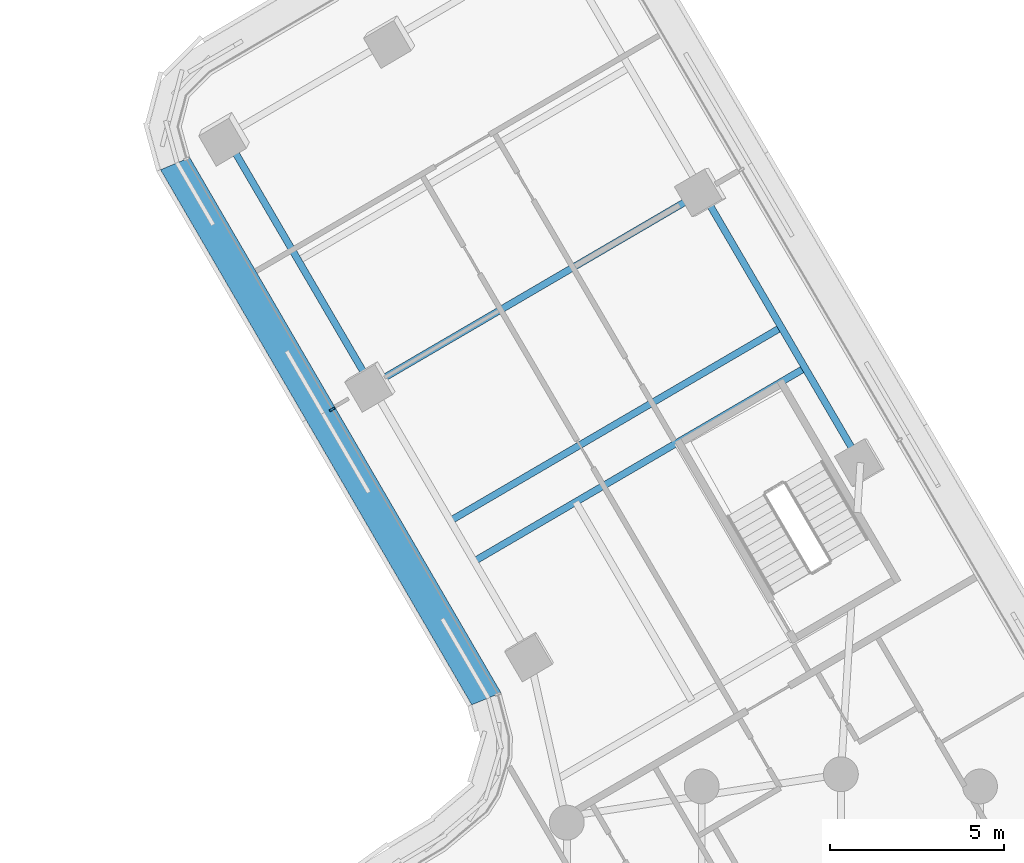
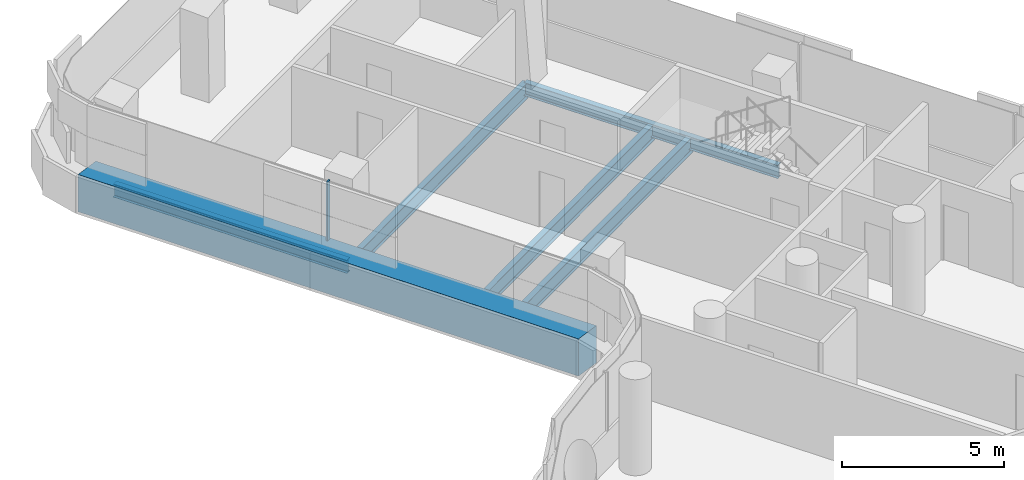
# One storey, part 16 of 35: 5 beams, 2 members, 1 element without a shape of its own.
"""IFC4 building model written with IfcOpenShell, lengths in metres."""

from ifc_helpers import new_model, si_unit, direction, frame, origin, origin_2d, place, context, subcontext, project, spatial, polyline, rectangle, i_section, outline, extrude, material, layer, layer_set, material_profile, profile_set, type_object, element, aggregate, save


model = new_model("IFC4")

# Units and contexts
model_context = context("Model", 3, precision=1e-05, world=origin(), true_north=direction((0.0, 1.0)))
body_context = subcontext(model_context, "Body", "Model", "MODEL_VIEW")
ifc_project = project(units=[si_unit("LENGTHUNIT", "METRE"), si_unit("AREAUNIT", "SQUARE_METRE"), si_unit("VOLUMEUNIT", "CUBIC_METRE"), si_unit("PLANEANGLEUNIT", "RADIAN"), si_unit("MASSUNIT", "GRAM", prefix="KILO")], contexts=[model_context])

# Site, building, storey
site_placement = place(None, origin())
site = spatial("IfcSite", under=ifc_project, at=site_placement, CompositionType="ELEMENT")
building_placement = place(site_placement, origin())
building = spatial("IfcBuilding", under=site, at=building_placement, Name="Tamarind Cross Interchange Tower", CompositionType="ELEMENT")
storey_placement = place(building_placement, frame((0.0, 0.0, 144.25)))
storey = spatial("IfcBuildingStorey", under=building, at=storey_placement, Name="L35", CompositionType="ELEMENT", Elevation=144.25)

# Beams
ifc_material_1 = material(Name="Steel Q355B", Category="steel")
ifc_material_profile_1 = material_profile(ifc_material_1, i_section(OverallWidth=0.198974609375, OverallDepth=0.49609375, WebThickness=0.009033203125, FlangeThickness=0.013916015625, FilletRadius=0.012939453125, at=origin_2d()), Name="HN 496x199x9x14")
ifc_profile_set_1 = profile_set([ifc_material_profile_1], Name="Steel Q355B")
beam_type_1 = type_object("IfcBeamType", Name="Composite beam HN 496x199x9x14 Q355B", PredefinedType="BEAM", material=ifc_profile_set_1)
beam_1_placement = place(storey_placement, frame((-3.9794921875, 39.711669921875, -0.387939453125), z_axis=(0.504532041864, -0.863392968893, 0.0), x_axis=(0.863392968893, 0.504532041864, 0.0)))
element("IfcBeam", 1, at=beam_1_placement, inside=storey, type_object=beam_type_1, Name="Beam N-edgeem6", PredefinedType="BEAM", context=body_context, shape_type="SweptSolid", body=[
    extrude(i_section(OverallWidth=0.198974609375, OverallDepth=0.49609375, WebThickness=0.009033203125, FlangeThickness=0.013916015625, FilletRadius=0.012939453125, at=origin_2d()), origin(), (0.0, 0.0, 1.0), 9.0),
])
beam_2_placement = place(storey_placement, frame((-17.66015625, 41.3212890625, -0.387939453125), z_axis=(0.504515287222, -0.863402759411, 0.0), x_axis=(0.863402759411, 0.504515287222, 0.0)))
element("IfcBeam", 2, at=beam_2_placement, inside=storey, type_object=beam_type_1, Name="Beam N-edgeep2", PredefinedType="BEAM", context=body_context, shape_type="SweptSolid", body=[
    extrude(i_section(OverallWidth=0.198974609375, OverallDepth=0.49609375, WebThickness=0.009033203125, FlangeThickness=0.013916015625, FilletRadius=0.012939453125, at=origin_2d()), origin(), (0.0, 0.0, 1.0), 8.291748046875),
])
ifc_material_profile_2 = material_profile(ifc_material_1, i_section(OverallWidth=0.199951171875, OverallDepth=0.60009765625, WebThickness=0.010986328125, FlangeThickness=0.01708984375, FilletRadius=0.012939453125, at=origin_2d()), Name="HN 600x200x11x17")
ifc_profile_set_2 = profile_set([ifc_material_profile_2], Name="Steel Q355B")
beam_type_2 = type_object("IfcBeamType", Name="Composite beam HN 600x200x11x17 Q355B", PredefinedType="BEAM", material=ifc_profile_set_2)
beam_3_placement = place(storey_placement, frame((-1.028076171875, 34.660888671875, -0.43994140625), z_axis=(-0.863394670878, -0.504529129287, 0.0), x_axis=(0.504529129287, -0.863394670878, 0.0)))
element("IfcBeam", 3, at=beam_3_placement, inside=storey, type_object=beam_type_2, Name="Beam N-x334", PredefinedType="BEAM", context=body_context, shape_type="SweptSolid", body=[
    extrude(i_section(OverallWidth=0.199951171875, OverallDepth=0.60009765625, WebThickness=0.010986328125, FlangeThickness=0.01708984375, FilletRadius=0.012939453125, at=origin_2d()), origin(), (0.0, 0.0, 1.0), 11.0),
])
beam_4_placement = place(storey_placement, frame((-3.9794921875, 39.711669921875, -0.43994140625), z_axis=(-0.863404338996, -0.504512583988, 0.0), x_axis=(0.504512583988, -0.863404338996, 0.0)))
element("IfcBeam", 4, at=beam_4_placement, inside=storey, type_object=beam_type_2, Name="Beam N-x393", PredefinedType="BEAM", context=body_context, shape_type="SweptSolid", body=[
    extrude(i_section(OverallWidth=0.199951171875, OverallDepth=0.60009765625, WebThickness=0.010986328125, FlangeThickness=0.01708984375, FilletRadius=0.012939453125, at=origin_2d()), origin(), (0.0, 0.0, 1.0), 10.999755859375),
])
beam_5_placement = place(storey_placement, frame((-1.708984375, 35.826416015625, -0.43994140625), z_axis=(-0.86340032036, -0.504519461272, 0.0), x_axis=(0.504519461272, -0.86340032036, 0.0)))
element("IfcBeam", 5, at=beam_5_placement, inside=storey, type_object=beam_type_2, Name="Beam N-x348", PredefinedType="BEAM", context=body_context, shape_type="SweptSolid", body=[
    extrude(i_section(OverallWidth=0.199951171875, OverallDepth=0.60009765625, WebThickness=0.010986328125, FlangeThickness=0.01708984375, FilletRadius=0.012939453125, at=origin_2d()), origin(), (0.0, 0.0, 1.0), 11.000244140625),
])

# Curtain wall, members
ifc_material_2 = material(Name="Aluminium 6063-T6", Category="aluminium")
ifc_layer = layer(ifc_material_2, 0.159912109375)
ifc_layer_set = layer_set([ifc_layer], Name="Aluminium 6063-T6")
curtain_wall_type = type_object("IfcCurtainWallType", Name="Office curtain wall, 9.0 m bays", PredefinedType="NOTDEFINED", material=ifc_layer_set)
curtain_wall_placement = place(storey_placement, origin())
curtain_wall = element("IfcCurtainWall", 6, at=curtain_wall_placement, inside=storey, type_object=curtain_wall_type, Name="CWS-L35-13", PredefinedType="NOTDEFINED")
ifc_material_3 = material(Name="Aluminium and insulated spandrel panel", Category="aluminium")
member_type_1 = type_object("IfcMemberType", Name="Floor-edge blade transom", PredefinedType="USERDEFINED", material=ifc_material_3)
member_1_placement = place(storey_placement, origin())
member_1 = element("IfcMember", 7, at=member_1_placement, type_object=member_type_1, Name="CWT-L35-13", ObjectType="TRANSOM", PredefinedType="USERDEFINED", context=body_context, shape_type="SweptSolid", body=[
    extrude(outline(polyline([(-18.6875, 40.70068359375), (-9.75390625, 25.33837890625), (-10.59375, 24.992431640625), (-19.524658203125, 40.349853515625), (-18.6875, 40.70068359375)])), origin(), (0.0, 0.0, 1.0), 1.39990234375),
])
ifc_material_profile_3 = material_profile(ifc_material_2, rectangle(XDim=0.06005859375, YDim=0.159912109375, at=origin_2d()), Name="Mullion CW1")
ifc_profile_set_3 = profile_set([ifc_material_profile_3], Name="Aluminium 6063-T6")
member_type_2 = type_object("IfcMemberType", Name="Mullion CW1", PredefinedType="MULLION", material=ifc_profile_set_3)
member_2_placement = place(storey_placement, frame((-14.6005859375, 33.473876953125, 1.39990234375), z_axis=(0.0, 0.0, 1.0), x_axis=(0.502708433946, -0.864456031525, 0.0)))
member_2 = element("IfcMember", 8, at=member_2_placement, type_object=member_type_2, Name="CWM-L35-13-01", PredefinedType="MULLION", context=body_context, shape_type="SweptSolid", body=[
    extrude(rectangle(XDim=0.06005859375, YDim=0.159912109375, at=origin_2d()), origin(), (0.0, 0.0, 1.0), 2.210205078125),
])
aggregate(curtain_wall, [member_2, member_1])

save(model, "model.ifc")
